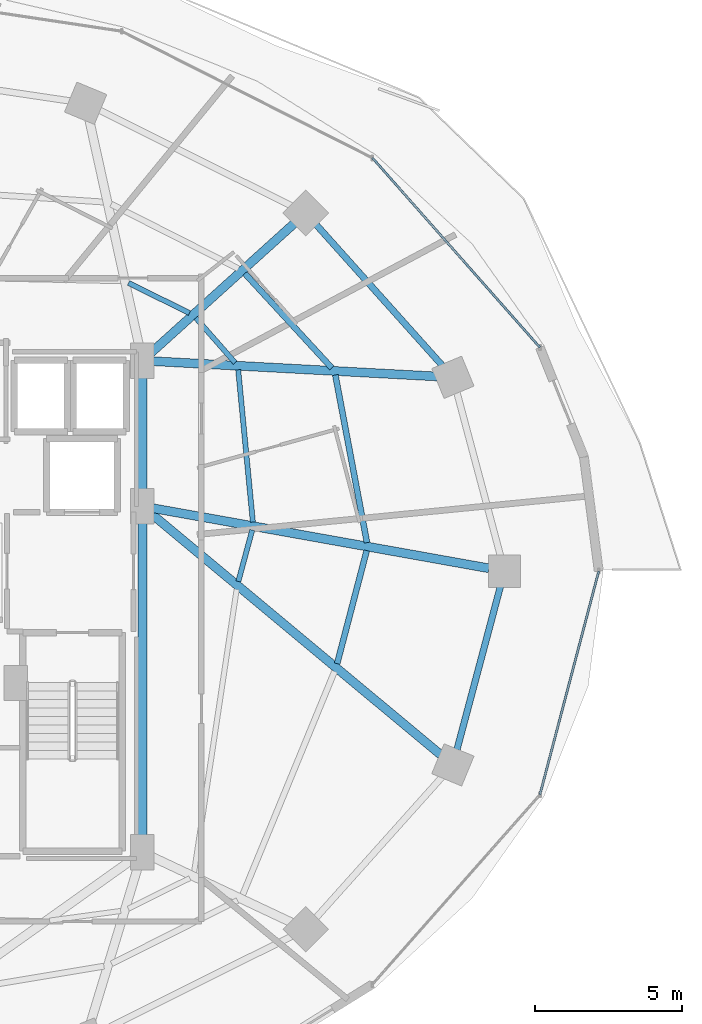
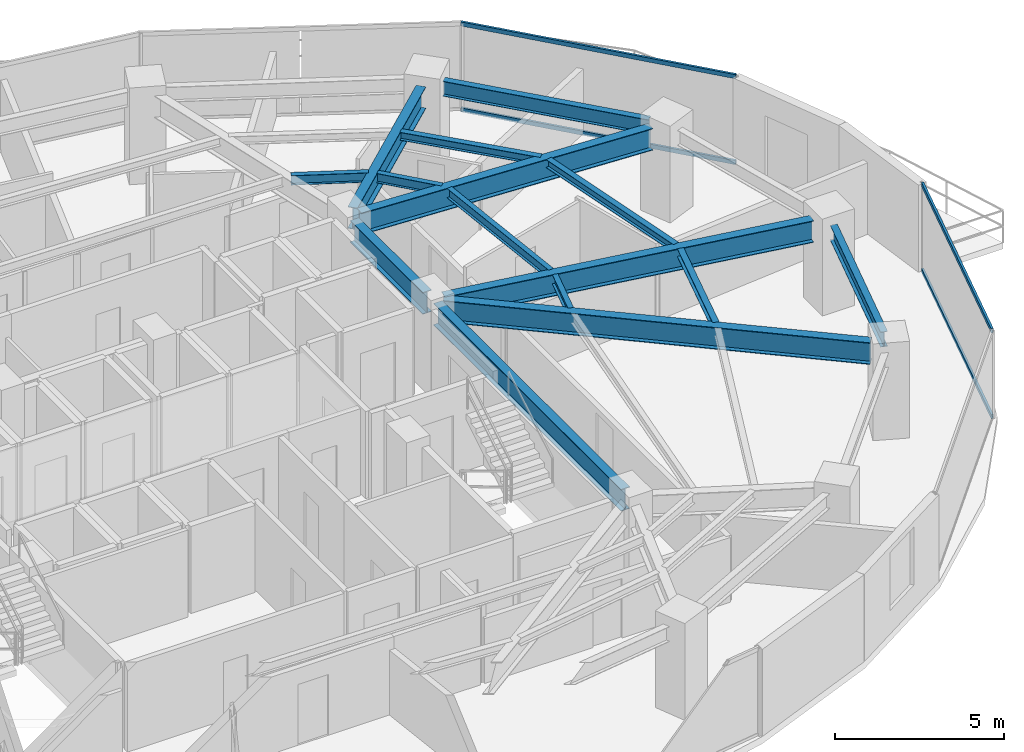
# One storey, part 14 of 29: 15 beams, 4 members, 2 elements without a shape of their own.
"""IFC4 building model written with IfcOpenShell, lengths in metres."""

from ifc_helpers import new_model, si_unit, direction, frame, origin, origin_2d, place, context, subcontext, project, spatial, hollow_rectangle, i_section, extrude, material, material_profile, profile_set, type_object, element, aggregate, save


model = new_model("IFC4")

# Units and contexts
model_context = context("Model", 3, precision=1e-05, world=origin(), true_north=direction((0.0, 1.0)))
body_context = subcontext(model_context, "Body", "Model", "MODEL_VIEW")
ifc_project = project(units=[si_unit("LENGTHUNIT", "METRE"), si_unit("AREAUNIT", "SQUARE_METRE"), si_unit("VOLUMEUNIT", "CUBIC_METRE"), si_unit("PLANEANGLEUNIT", "RADIAN"), si_unit("MASSUNIT", "GRAM", prefix="KILO")], contexts=[model_context])

# Site, building, storey
site_placement = place(None, origin())
site = spatial("IfcSite", under=ifc_project, at=site_placement, CompositionType="ELEMENT")
building_placement = place(site_placement, origin())
building = spatial("IfcBuilding", under=site, at=building_placement, Name="Vorneva Point Tower", CompositionType="ELEMENT")
storey_placement = place(building_placement, frame((0.0, 0.0, 120.800048828125)))
storey = spatial("IfcBuildingStorey", under=building, at=storey_placement, Name="L32", CompositionType="ELEMENT", Elevation=120.800048828125)

# Beams
ifc_material_1 = material(Name="Steel S355", Category="steel")
ifc_material_profile_1 = material_profile(ifc_material_1, i_section(OverallWidth=0.300048828125, OverallDepth=0.7880859375, WebThickness=0.014404296875, FlangeThickness=0.02197265625, at=origin_2d()), Name="80Sh1")
ifc_profile_set_1 = profile_set([ifc_material_profile_1], Name="Steel S355")
beam_type_1 = type_object("IfcBeamType", Name="BM-GRD-80Sh1", PredefinedType="USERDEFINED", material=ifc_profile_set_1)
beam_1_placement = place(storey_placement, frame((60.5205078125, 26.0947265625, 2.755859375), z_axis=(-0.984378310682, 0.176066298476, 0.0), x_axis=(-0.176066298476, -0.984378310682, 0.0)))
element("IfcBeam", 1, at=beam_1_placement, inside=storey, type_object=beam_type_1, Name="L32 Radial Primary Girder 01", ObjectType="GIRDER", PredefinedType="USERDEFINED", context=body_context, shape_type="SweptSolid", body=[
    extrude(i_section(OverallWidth=0.300048828125, OverallDepth=0.7880859375, WebThickness=0.014404296875, FlangeThickness=0.02197265625, at=origin_2d()), origin(), (0.0, 0.0, 1.0), 11.6171875),
])
beam_2_placement = place(storey_placement, frame((58.75830078125, 32.611083984375, 2.755859375), z_axis=(-0.998554075878, 0.053756465161, 0.0), x_axis=(-0.053756465161, -0.998554075878, 0.0)))
element("IfcBeam", 2, at=beam_2_placement, inside=storey, type_object=beam_type_1, Name="L32 Radial Primary Girder 02", ObjectType="GIRDER", PredefinedType="USERDEFINED", context=body_context, shape_type="SweptSolid", body=[
    extrude(i_section(OverallWidth=0.300048828125, OverallDepth=0.7880859375, WebThickness=0.014404296875, FlangeThickness=0.02197265625, at=origin_2d()), origin(), (0.0, 0.0, 1.0), 9.6826171875),
])
beam_3_placement = place(storey_placement, frame((53.899658203125, 37.801513671875, 2.755859375), z_axis=(-0.742097300344, -0.670292172729, 0.0), x_axis=(0.670292172729, -0.742097300344, 0.0)))
element("IfcBeam", 3, at=beam_3_placement, inside=storey, type_object=beam_type_1, Name="L32 Radial Primary Girder 03", ObjectType="GIRDER", PredefinedType="USERDEFINED", context=body_context, shape_type="SweptSolid", body=[
    extrude(i_section(OverallWidth=0.300048828125, OverallDepth=0.7880859375, WebThickness=0.014404296875, FlangeThickness=0.02197265625, at=origin_2d()), origin(), (0.0, 0.0, 1.0), 6.599365234375),
])
beam_4_placement = place(storey_placement, frame((58.882080078125, 19.76220703125, 2.755859375), z_axis=(-0.768431550428, 0.639931990376, 0.0), x_axis=(-0.639931990376, -0.768431550428, 0.0)))
element("IfcBeam", 4, at=beam_4_placement, inside=storey, type_object=beam_type_1, Name="L32 Radial Primary Girder 16", ObjectType="GIRDER", PredefinedType="USERDEFINED", context=body_context, shape_type="SweptSolid", body=[
    extrude(i_section(OverallWidth=0.300048828125, OverallDepth=0.7880859375, WebThickness=0.014404296875, FlangeThickness=0.02197265625, at=origin_2d()), origin(), (0.0, 0.0, 1.0), 12.845458984375),
])
beam_5_placement = place(storey_placement, frame((48.75, 16.77001953125, 2.755859375), z_axis=(0.0, 1.0, 0.0), x_axis=(-1.0, 0.0, 0.0)))
element("IfcBeam", 5, at=beam_5_placement, inside=storey, type_object=beam_type_1, Name="L32 Core Tie Girder CT3", ObjectType="GIRDER", PredefinedType="USERDEFINED", context=body_context, shape_type="SweptSolid", body=[
    extrude(i_section(OverallWidth=0.300048828125, OverallDepth=0.7880859375, WebThickness=0.014404296875, FlangeThickness=0.02197265625, at=origin_2d()), origin(), (0.0, 0.0, 1.0), 11.10986328125),
])
beam_6_placement = place(storey_placement, frame((48.75, 28.52001953125, 2.755859375), z_axis=(0.0, 1.0, 0.0), x_axis=(-1.0, 0.0, 0.0)))
element("IfcBeam", 6, at=beam_6_placement, inside=storey, type_object=beam_type_1, Name="L32 Core Tie Girder CT4", ObjectType="GIRDER", PredefinedType="USERDEFINED", context=body_context, shape_type="SweptSolid", body=[
    extrude(i_section(OverallWidth=0.300048828125, OverallDepth=0.7880859375, WebThickness=0.014404296875, FlangeThickness=0.02197265625, at=origin_2d()), origin(), (0.0, 0.0, 1.0), 4.31005859375),
])
ifc_material_profile_2 = material_profile(ifc_material_1, i_section(OverallWidth=0.199951171875, OverallDepth=0.291015625, WebThickness=0.008056640625, FlangeThickness=0.010986328125, at=origin_2d()), Name="30Sh1")
ifc_profile_set_2 = profile_set([ifc_material_profile_2], Name="Steel S355")
beam_type_2 = type_object("IfcBeamType", Name="BM-SEC-30Sh1", PredefinedType="BEAM", material=ifc_profile_set_2)
beam_7_placement = place(storey_placement, frame((56.3779296875, 26.966796875, 3.00439453125), z_axis=(-0.185445459746, 0.98265455856, 0.0), x_axis=(-0.98265455856, -0.185445459746, 0.0)))
element("IfcBeam", 7, at=beam_7_placement, inside=storey, type_object=beam_type_2, Name="L32 Secondary Floor Beam 1.01", PredefinedType="BEAM", context=body_context, shape_type="SweptSolid", body=[
    extrude(i_section(OverallWidth=0.199951171875, OverallDepth=0.291015625, WebThickness=0.008056640625, FlangeThickness=0.010986328125, at=origin_2d()), origin(), (0.0, 0.0, 1.0), 5.796630859375),
])
beam_8_placement = place(storey_placement, frame((55.18408203125, 32.89990234375, 3.00439453125), z_axis=(-0.677423941883, 0.735592824165, 0.0), x_axis=(-0.735592824165, -0.677423941883, 0.0)))
element("IfcBeam", 8, at=beam_8_placement, inside=storey, type_object=beam_type_2, Name="L32 Secondary Floor Beam 1.02", PredefinedType="BEAM", context=body_context, shape_type="SweptSolid", body=[
    extrude(i_section(OverallWidth=0.199951171875, OverallDepth=0.291015625, WebThickness=0.008056640625, FlangeThickness=0.010986328125, at=origin_2d()), origin(), (0.0, 0.0, 1.0), 4.36083984375),
])
beam_9_placement = place(storey_placement, frame((55.363525390625, 22.85498046875, 3.00439453125), z_axis=(0.253064919309, 0.967449299248, 0.0), x_axis=(-0.967449299248, 0.253064919309, 0.0)))
element("IfcBeam", 9, at=beam_9_placement, inside=storey, type_object=beam_type_2, Name="L32 Secondary Floor Beam 1.16", PredefinedType="BEAM", context=body_context, shape_type="SweptSolid", body=[
    extrude(i_section(OverallWidth=0.199951171875, OverallDepth=0.291015625, WebThickness=0.008056640625, FlangeThickness=0.010986328125, at=origin_2d()), origin(), (0.0, 0.0, 1.0), 3.971923828125),
])
ifc_material_profile_3 = material_profile(ifc_material_1, i_section(OverallWidth=0.174072265625, OverallDepth=0.345947265625, WebThickness=0.006103515625, FlangeThickness=0.009033203125, at=origin_2d()), Name="35B1")
ifc_profile_set_3 = profile_set([ifc_material_profile_3], Name="Steel S355")
beam_type_3 = type_object("IfcBeamType", Name="BM-SEC-35B1", PredefinedType="BEAM", material=ifc_profile_set_3)
beam_10_placement = place(storey_placement, frame((52.502197265625, 27.663818359375, 2.97705078125), z_axis=(-0.095950449471, 0.99538611164, 0.0), x_axis=(-0.99538611164, -0.095950449471, 0.0)))
element("IfcBeam", 10, at=beam_10_placement, inside=storey, type_object=beam_type_3, Name="L32 Secondary Floor Beam 2.01", PredefinedType="BEAM", context=body_context, shape_type="SweptSolid", body=[
    extrude(i_section(OverallWidth=0.174072265625, OverallDepth=0.345947265625, WebThickness=0.006103515625, FlangeThickness=0.009033203125, at=origin_2d()), origin(), (0.0, 0.0, 1.0), 5.1982421875),
])
beam_11_placement = place(storey_placement, frame((51.899169921875, 33.0791015625, 2.97705078125), z_axis=(-0.659826069544, 0.751418364129, 0.0), x_axis=(-0.751418364129, -0.659826069544, 0.0)))
element("IfcBeam", 11, at=beam_11_placement, inside=storey, type_object=beam_type_3, Name="L32 Secondary Floor Beam 2.02", PredefinedType="BEAM", context=body_context, shape_type="SweptSolid", body=[
    extrude(i_section(OverallWidth=0.174072265625, OverallDepth=0.345947265625, WebThickness=0.006103515625, FlangeThickness=0.009033203125, at=origin_2d()), origin(), (0.0, 0.0, 1.0), 2.02587890625),
])
beam_12_placement = place(storey_placement, frame((50.34765625, 34.76611328125, 2.97705078125), z_axis=(-0.896973792336, 0.442083720423, 0.0), x_axis=(-0.442083720423, -0.896973792336, 0.0)))
element("IfcBeam", 12, at=beam_12_placement, inside=storey, type_object=beam_type_3, Name="L32 Secondary Floor Beam 2.03", PredefinedType="BEAM", context=body_context, shape_type="SweptSolid", body=[
    extrude(i_section(OverallWidth=0.174072265625, OverallDepth=0.345947265625, WebThickness=0.006103515625, FlangeThickness=0.009033203125, at=origin_2d()), origin(), (0.0, 0.0, 1.0), 2.306640625),
])
beam_13_placement = place(storey_placement, frame((52.008544921875, 25.6494140625, 2.97705078125), z_axis=(0.260714981089, 0.965415816442, 0.0), x_axis=(-0.965415816442, 0.260714981089, 0.0)))
element("IfcBeam", 13, at=beam_13_placement, inside=storey, type_object=beam_type_3, Name="L32 Secondary Floor Beam 2.16", PredefinedType="BEAM", context=body_context, shape_type="SweptSolid", body=[
    extrude(i_section(OverallWidth=0.174072265625, OverallDepth=0.345947265625, WebThickness=0.006103515625, FlangeThickness=0.009033203125, at=origin_2d()), origin(), (0.0, 0.0, 1.0), 1.806396484375),
])
ifc_material_profile_4 = material_profile(ifc_material_1, i_section(OverallWidth=0.219970703125, OverallDepth=0.54296875, WebThickness=0.009521484375, FlangeThickness=0.013427734375, at=origin_2d()), Name="55B1")
ifc_profile_set_4 = profile_set([ifc_material_profile_4], Name="Steel S355")
beam_type_4 = type_object("IfcBeamType", Name="BM-SPN-55B1", PredefinedType="SPANDREL", material=ifc_profile_set_4)
beam_14_placement = place(storey_placement, frame((58.9384765625, 32.980712890625, 2.87841796875), z_axis=(-0.667073815664, 0.744991627105, 0.0), x_axis=(-0.744991627105, -0.667073815664, 0.0)))
element("IfcBeam", 14, at=beam_14_placement, inside=storey, type_object=beam_type_4, Name="L32 Perimeter Spandrel Ring Beam 02", PredefinedType="SPANDREL", context=body_context, shape_type="SweptSolid", body=[
    extrude(i_section(OverallWidth=0.219970703125, OverallDepth=0.54296875, WebThickness=0.009521484375, FlangeThickness=0.013427734375, at=origin_2d()), origin(), (0.0, 0.0, 1.0), 6.420166015625),
])
beam_15_placement = place(storey_placement, frame((59.43310546875, 19.934814453125, 2.87841796875), z_axis=(0.257572674071, 0.966258928845, 0.0), x_axis=(-0.966258928845, 0.257572674071, 0.0)))
element("IfcBeam", 15, at=beam_15_placement, inside=storey, type_object=beam_type_4, Name="L32 Perimeter Spandrel Ring Beam 16", PredefinedType="SPANDREL", context=body_context, shape_type="SweptSolid", body=[
    extrude(i_section(OverallWidth=0.219970703125, OverallDepth=0.54296875, WebThickness=0.009521484375, FlangeThickness=0.013427734375, at=origin_2d()), origin(), (0.0, 0.0, 1.0), 5.7421875),
])

# Curtain wall, members
ifc_material_2 = material(Name="Pale anodised aluminium", Category="aluminium")
curtain_wall_type = type_object("IfcCurtainWallType", Name="CW-HTL-SYS", PredefinedType="NOTDEFINED", material=ifc_material_2)
curtain_wall_1_placement = place(storey_placement, origin())
curtain_wall_1 = element("IfcCurtainWall", 16, at=curtain_wall_1_placement, inside=storey, type_object=curtain_wall_type, Name="L32 Unitised Curtain Wall CW-L32-R01", PredefinedType="NOTDEFINED")
ifc_material_profile_5 = material_profile(ifc_material_2, hollow_rectangle(XDim=0.074951171875, YDim=0.14990234375, WallThickness=0.00390625, at=origin_2d()), Name="AL-TRN 150x75x4")
ifc_profile_set_5 = profile_set([ifc_material_profile_5], Name="Pale anodised aluminium")
member_type = type_object("IfcMemberType", Name="CW-TRN-150", PredefinedType="USERDEFINED", material=ifc_profile_set_5)
member_1_placement = place(storey_placement, frame((62.251708984375, 33.59619140625, 0.02001953125), z_axis=(-0.662137326257, 0.74938251993, 0.0), x_axis=(-0.74938251993, -0.662137326257, 0.0)))
member_1 = element("IfcMember", 17, at=member_1_placement, type_object=member_type, Name="CW-L32-R01 Transom 01.1", ObjectType="TRANSOM", PredefinedType="USERDEFINED", context=body_context, shape_type="SweptSolid", body=[
    extrude(hollow_rectangle(XDim=0.074951171875, YDim=0.14990234375, WallThickness=0.00390625, at=origin_2d()), origin(), (0.0, 0.0, 1.0), 8.59375),
])
member_2_placement = place(storey_placement, frame((62.251708984375, 33.59619140625, 3.1298828125), z_axis=(-0.662137326257, 0.74938251993, 0.0), x_axis=(-0.74938251993, -0.662137326257, 0.0)))
member_2 = element("IfcMember", 18, at=member_2_placement, type_object=member_type, Name="CW-L32-R01 Transom 01.2", ObjectType="TRANSOM", PredefinedType="USERDEFINED", context=body_context, shape_type="SweptSolid", body=[
    extrude(hollow_rectangle(XDim=0.074951171875, YDim=0.14990234375, WallThickness=0.00390625, at=origin_2d()), origin(), (0.0, 0.0, 1.0), 8.59375),
])
aggregate(curtain_wall_1, [member_1, member_2])

curtain_wall_2_placement = place(storey_placement, origin())
curtain_wall_2 = element("IfcCurtainWall", 19, at=curtain_wall_2_placement, inside=storey, type_object=curtain_wall_type, Name="L32 Unitised Curtain Wall CW-L32-R04", PredefinedType="NOTDEFINED")
member_3_placement = place(storey_placement, frame((62.251708984375, 18.40380859375, 0.02001953125), z_axis=(0.254409150465, 0.967096677773, 0.0), x_axis=(-0.967096677773, 0.254409150465, 0.0)))
member_3 = element("IfcMember", 20, at=member_3_placement, type_object=member_type, Name="CW-L32-R04 Transom 02.1", ObjectType="TRANSOM", PredefinedType="USERDEFINED", context=body_context, shape_type="SweptSolid", body=[
    extrude(hollow_rectangle(XDim=0.074951171875, YDim=0.14990234375, WallThickness=0.00390625, at=origin_2d()), origin(), (0.0, 0.0, 1.0), 7.854736328125),
])
member_4_placement = place(storey_placement, frame((62.251708984375, 18.40380859375, 3.1298828125), z_axis=(0.254409150465, 0.967096677773, 0.0), x_axis=(-0.967096677773, 0.254409150465, 0.0)))
member_4 = element("IfcMember", 21, at=member_4_placement, type_object=member_type, Name="CW-L32-R04 Transom 02.2", ObjectType="TRANSOM", PredefinedType="USERDEFINED", context=body_context, shape_type="SweptSolid", body=[
    extrude(hollow_rectangle(XDim=0.074951171875, YDim=0.14990234375, WallThickness=0.00390625, at=origin_2d()), origin(), (0.0, 0.0, 1.0), 7.854736328125),
])
aggregate(curtain_wall_2, [member_3, member_4])

save(model, "model.ifc")
